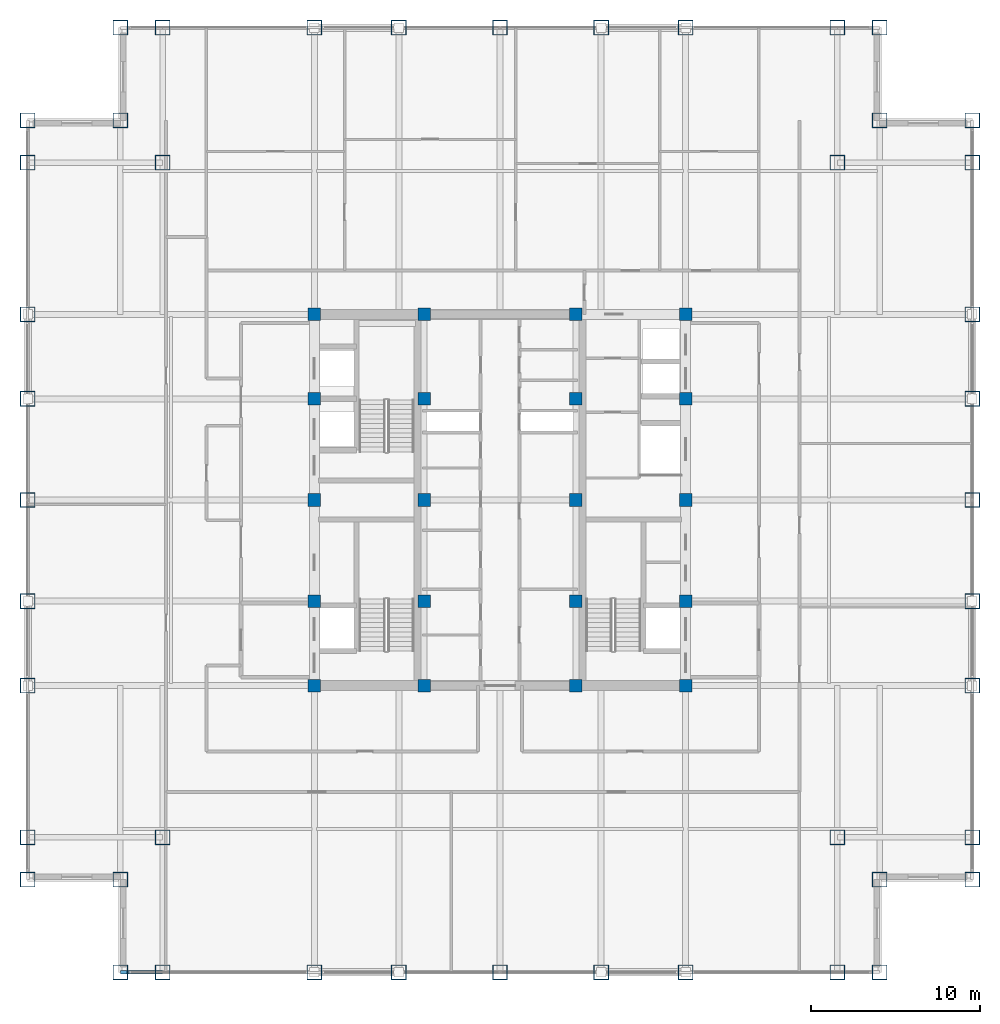
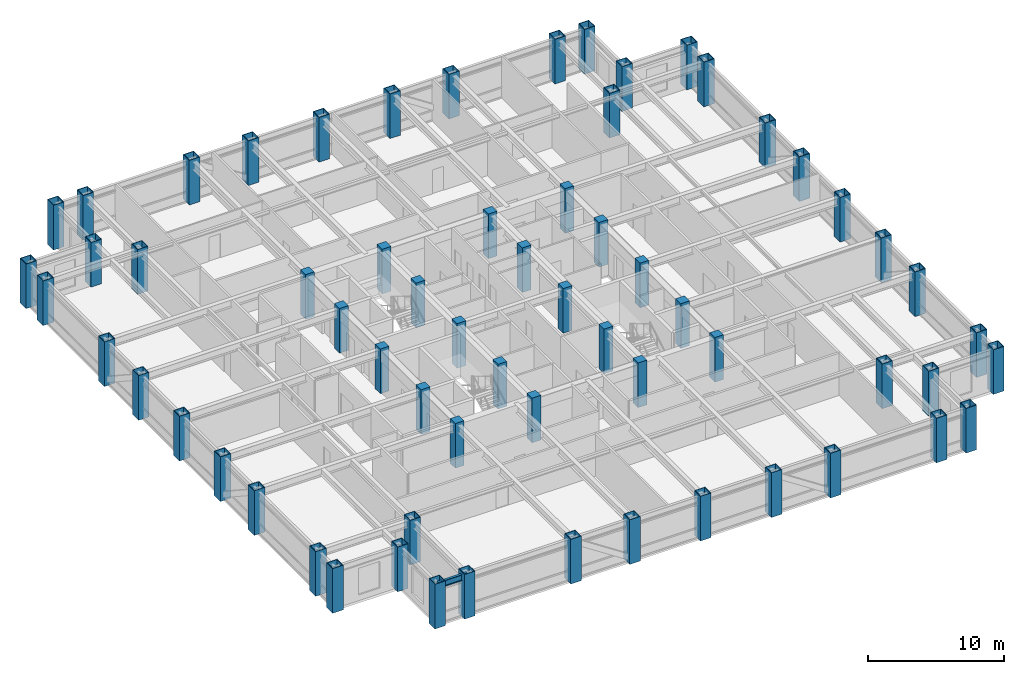
# One storey, part 1 of 22: 64 columns, 1 beam.
"""IFC4 building model written with IfcOpenShell, lengths in metres."""

from ifc_helpers import new_model, si_unit, direction, frame, origin, origin_2d, place, context, subcontext, project, spatial, rectangle, hollow_rectangle, i_section, extrude, source, transform, mapped, material, material_profile, profile_set, type_object, element, save


model = new_model("IFC4")

# Units and contexts
model_context = context("Model", 3, precision=1e-05, world=origin(), true_north=direction((0.0, 1.0)))
body_context = subcontext(model_context, "Body", "Model", "MODEL_VIEW")
ifc_project = project(units=[si_unit("LENGTHUNIT", "METRE"), si_unit("AREAUNIT", "SQUARE_METRE"), si_unit("VOLUMEUNIT", "CUBIC_METRE"), si_unit("PLANEANGLEUNIT", "RADIAN"), si_unit("MASSUNIT", "GRAM", prefix="KILO")], contexts=[model_context])

# Site, building, storey
site_placement = place(None, origin())
site = spatial("IfcSite", under=ifc_project, at=site_placement, CompositionType="ELEMENT")
building_placement = place(site_placement, origin())
building = spatial("IfcBuilding", under=site, at=building_placement, Name="Khorayat Bourse Tower", CompositionType="ELEMENT")
storey_placement = place(building_placement, frame((0.0, 0.0, 301.5)))
storey = spatial("IfcBuildingStorey", under=building, at=storey_placement, Name="L71", CompositionType="ELEMENT", Elevation=301.5)

# Columns
ifc_material_1 = material(Name="Steel EN 10025-4 S460M", Category="steel")
ifc_material_profile_1 = material_profile(ifc_material_1, hollow_rectangle(XDim=0.89990234375, YDim=0.89990234375, WallThickness=0.050048828125, at=origin_2d()), Name="BOX 900x900x50")
ifc_profile_set_1 = profile_set([ifc_material_profile_1], Name="Steel EN 10025-4 S460M")
column_type_1 = type_object("IfcColumnType", Name="COL-TUBE-900", PredefinedType="COLUMN", material=ifc_profile_set_1)
shared_shape_1 = source(origin(), body_context, "Body", "SweptSolid", [
    extrude(hollow_rectangle(XDim=0.89990234375, YDim=0.89990234375, WallThickness=0.050048828125, at=origin_2d()), origin(), (0.0, 0.0, 1.0), 4.0),
])
for number, where, z_axis, x_axis, name in (
    (1, (-28.0, -22.5, 0.0), (0.0, 0.0, 1.0), (1.0, 0.0, 0.0), "L71 Column 001"),
    (2, (-28.0, -20.0, 0.0), (0.0, 0.0, 1.0), (1.0, 0.0, 0.0), "L71 Column 002"),
    (3, (-28.0, -11.0, 0.0), (0.0, 0.0, 1.0), (1.0, 0.0, 0.0), "L71 Column 003"),
    (4, (-28.0, -6.0, 0.0), (0.0, 0.0, 1.0), (1.0, 0.0, 0.0), "L71 Column 004"),
    (5, (-28.0, 0.0, 0.0), (0.0, 0.0, 1.0), (1.0, 0.0, 0.0), "L71 Column 005"),
    (6, (-28.0, 6.0, 0.0), (0.0, 0.0, 1.0), (1.0, 0.0, 0.0), "L71 Column 006"),
    (7, (-28.0, 11.0, 0.0), (0.0, 0.0, 1.0), (1.0, 0.0, 0.0), "L71 Column 007"),
    (8, (-28.0, 20.0, 0.0), (0.0, 0.0, 1.0), (1.0, 0.0, 0.0), "L71 Column 008"),
    (9, (-28.0, 22.5, 0.0), (0.0, 0.0, 1.0), (1.0, 0.0, 0.0), "L71 Column 009"),
    (10, (-22.5, -28.0, 0.0), (0.0, 0.0, 1.0), (1.0, 0.0, 0.0), "L71 Column 010"),
    (11, (-22.5, -22.5, 0.0), (0.0, 0.0, 1.0), (1.0, 0.0, 0.0), "L71 Column 011"),
    (12, (-22.5, 22.5, 0.0), (0.0, 0.0, 1.0), (1.0, 0.0, 0.0), "L71 Column 012"),
    (13, (-22.5, 28.0, 0.0), (0.0, 0.0, 1.0), (1.0, 0.0, 0.0), "L71 Column 013"),
    (14, (-20.0, -28.0, 0.0), (0.0, 0.0, 1.0), (1.0, 0.0, 0.0), "L71 Column 014"),
    (15, (-20.0, -20.0, 0.0), (0.0, 0.0, 1.0), (1.0, 0.0, 0.0), "L71 Column 015"),
    (16, (-20.0, 20.0, 0.0), (0.0, 0.0, 1.0), (1.0, 0.0, 0.0), "L71 Column 016"),
    (17, (-20.0, 28.0, 0.0), (0.0, 0.0, 1.0), (1.0, 0.0, 0.0), "L71 Column 017"),
    (18, (-11.0, -28.0, 0.0), (0.0, 0.0, 1.0), (1.0, 0.0, 0.0), "L71 Column 018"),
    (19, (-11.0, 28.0, 0.0), (0.0, 0.0, 1.0), (1.0, 0.0, 0.0), "L71 Column 024"),
    (20, (-6.0, -28.0, 0.0), (0.0, 0.0, 1.0), (1.0, 0.0, 0.0), "L71 Column 025"),
    (21, (-6.0, 28.0, 0.0), (0.0, 0.0, 1.0), (1.0, 0.0, 0.0), "L71 Column 026"),
    (22, (0.0, -28.0, 0.0), (0.0, 0.0, 1.0), (1.0, 0.0, 0.0), "L71 Column 032"),
    (23, (0.0, 28.0, 0.0), (0.0, 0.0, 1.0), (1.0, 0.0, 0.0), "L71 Column 033"),
    (24, (6.0, -28.0, 0.0), (0.0, 0.0, 1.0), (1.0, 0.0, 0.0), "L71 Column 039"),
    (25, (6.0, 28.0, 0.0), (0.0, 0.0, 1.0), (1.0, 0.0, 0.0), "L71 Column 040"),
    (26, (11.0, -28.0, 0.0), (0.0, 0.0, 1.0), (1.0, 0.0, 0.0), "L71 Column 041"),
    (27, (11.0, 28.0, 0.0), (0.0, 0.0, 1.0), (1.0, 0.0, 0.0), "L71 Column 047"),
    (28, (20.0, -28.0, 0.0), (0.0, 0.0, 1.0), (1.0, 0.0, 0.0), "L71 Column 048"),
    (29, (20.0, -20.0, 0.0), (0.0, 0.0, 1.0), (1.0, 0.0, 0.0), "L71 Column 049"),
    (30, (20.0, 20.0, 0.0), (0.0, 0.0, 1.0), (1.0, 0.0, 0.0), "L71 Column 050"),
    (31, (20.0, 28.0, 0.0), (0.0, 0.0, 1.0), (1.0, 0.0, 0.0), "L71 Column 051"),
    (32, (22.5, -28.0, 0.0), (0.0, 0.0, 1.0), (1.0, 0.0, 0.0), "L71 Column 052"),
    (33, (22.5, -22.5, 0.0), (0.0, 0.0, 1.0), (1.0, 0.0, 0.0), "L71 Column 053"),
    (34, (22.5, 22.5, 0.0), (0.0, 0.0, 1.0), (1.0, 0.0, 0.0), "L71 Column 054"),
    (35, (22.5, 28.0, 0.0), (0.0, 0.0, 1.0), (1.0, 0.0, 0.0), "L71 Column 055"),
    (36, (28.0, -22.5, 0.0), (0.0, 0.0, 1.0), (1.0, 0.0, 0.0), "L71 Column 056"),
    (37, (28.0, -20.0, 0.0), (0.0, 0.0, 1.0), (1.0, 0.0, 0.0), "L71 Column 057"),
    (38, (28.0, -11.0, 0.0), (0.0, 0.0, 1.0), (1.0, 0.0, 0.0), "L71 Column 058"),
    (39, (28.0, -6.0, 0.0), (0.0, 0.0, 1.0), (1.0, 0.0, 0.0), "L71 Column 059"),
    (40, (28.0, 0.0, 0.0), (0.0, 0.0, 1.0), (1.0, 0.0, 0.0), "L71 Column 060"),
    (41, (28.0, 6.0, 0.0), (0.0, 0.0, 1.0), (1.0, 0.0, 0.0), "L71 Column 061"),
    (42, (28.0, 11.0, 0.0), (0.0, 0.0, 1.0), (1.0, 0.0, 0.0), "L71 Column 062"),
    (43, (28.0, 20.0, 0.0), (0.0, 0.0, 1.0), (1.0, 0.0, 0.0), "L71 Column 063"),
    (44, (28.0, 22.5, 0.0), (0.0, 0.0, 1.0), (1.0, 0.0, 0.0), "L71 Column 064"),
):
    element("IfcColumn", number, at=place(storey_placement, frame(where, z_axis=z_axis, x_axis=x_axis)), inside=storey, type_object=column_type_1, Name=name, PredefinedType="COLUMN", context=body_context, shape_type="MappedRepresentation", body=[
        mapped(shared_shape_1, transform((0.0, 0.0, 0.0), scale=1.0)),
    ])
ifc_material_2 = material(Name="Concrete C52/65", Category="concrete")
ifc_material_profile_2 = material_profile(ifc_material_2, rectangle(XDim=0.75, YDim=0.75, at=origin_2d()), Name="RC 750x750")
ifc_profile_set_2 = profile_set([ifc_material_profile_2], Name="Concrete C52/65")
column_type_2 = type_object("IfcColumnType", Name="COL-CORE-750", PredefinedType="COLUMN", material=ifc_profile_set_2)
shared_shape_2 = source(origin(), body_context, "Body", "SweptSolid", [
    extrude(rectangle(XDim=0.75, YDim=0.75, at=origin_2d()), origin(), (0.0, 0.0, 1.0), 4.0),
])
for number, where, z_axis, x_axis, name in (
    (45, (-11.0, -11.0, 0.0), (0.0, 0.0, 1.0), (1.0, 0.0, 0.0), "L71 Column 019"),
    (46, (-11.0, -6.0, 0.0), (0.0, 0.0, 1.0), (1.0, 0.0, 0.0), "L71 Column 020"),
    (47, (-11.0, 0.0, 0.0), (0.0, 0.0, 1.0), (1.0, 0.0, 0.0), "L71 Column 021"),
    (48, (-11.0, 6.0, 0.0), (0.0, 0.0, 1.0), (1.0, 0.0, 0.0), "L71 Column 022"),
    (49, (-11.0, 11.0, 0.0), (0.0, 0.0, 1.0), (1.0, 0.0, 0.0), "L71 Column 023"),
    (50, (-4.5, -11.0, 0.0), (0.0, 0.0, 1.0), (1.0, 0.0, 0.0), "L71 Column 027"),
    (51, (-4.5, -6.0, 0.0), (0.0, 0.0, 1.0), (1.0, 0.0, 0.0), "L71 Column 028"),
    (52, (-4.5, 0.0, 0.0), (0.0, 0.0, 1.0), (1.0, 0.0, 0.0), "L71 Column 029"),
    (53, (-4.5, 6.0, 0.0), (0.0, 0.0, 1.0), (1.0, 0.0, 0.0), "L71 Column 030"),
    (54, (-4.5, 11.0, 0.0), (0.0, 0.0, 1.0), (1.0, 0.0, 0.0), "L71 Column 031"),
    (55, (4.5, -11.0, 0.0), (0.0, 0.0, 1.0), (1.0, 0.0, 0.0), "L71 Column 034"),
    (56, (4.5, -6.0, 0.0), (0.0, 0.0, 1.0), (1.0, 0.0, 0.0), "L71 Column 035"),
    (57, (4.5, 0.0, 0.0), (0.0, 0.0, 1.0), (1.0, 0.0, 0.0), "L71 Column 036"),
    (58, (4.5, 6.0, 0.0), (0.0, 0.0, 1.0), (1.0, 0.0, 0.0), "L71 Column 037"),
    (59, (4.5, 11.0, 0.0), (0.0, 0.0, 1.0), (1.0, 0.0, 0.0), "L71 Column 038"),
    (60, (11.0, -11.0, 0.0), (0.0, 0.0, 1.0), (1.0, 0.0, 0.0), "L71 Column 042"),
    (61, (11.0, -6.0, 0.0), (0.0, 0.0, 1.0), (1.0, 0.0, 0.0), "L71 Column 043"),
    (62, (11.0, 0.0, 0.0), (0.0, 0.0, 1.0), (1.0, 0.0, 0.0), "L71 Column 044"),
    (63, (11.0, 6.0, 0.0), (0.0, 0.0, 1.0), (1.0, 0.0, 0.0), "L71 Column 045"),
    (64, (11.0, 11.0, 0.0), (0.0, 0.0, 1.0), (1.0, 0.0, 0.0), "L71 Column 046"),
):
    element("IfcColumn", number, at=place(storey_placement, frame(where, z_axis=z_axis, x_axis=x_axis)), inside=storey, type_object=column_type_2, Name=name, PredefinedType="COLUMN", context=body_context, shape_type="MappedRepresentation", body=[
        mapped(shared_shape_2, transform((0.0, 0.0, 0.0), scale=1.0)),
    ])

# Beam
ifc_material_3 = material(Name="Steel ASTM A992 Grade 50", Category="steel")
ifc_material_profile_3 = material_profile(ifc_material_3, i_section(OverallWidth=0.214111328125, OverallDepth=0.549072265625, WebThickness=0.0146484375, FlangeThickness=0.023681640625, FilletRadius=0.013916015625, at=origin_2d()), Name="W530X138")
ifc_profile_set_3 = profile_set([ifc_material_profile_3], Name="Steel ASTM A992 Grade 50")
beam_type = type_object("IfcBeamType", Name="BM-SPAN-530", PredefinedType="SPANDREL", material=ifc_profile_set_3)
shared_shape_3 = source(origin(), body_context, "Body", "SweptSolid", [
    extrude(i_section(OverallWidth=0.214111328125, OverallDepth=0.549072265625, WebThickness=0.0146484375, FlangeThickness=0.023681640625, FilletRadius=0.013916015625, at=origin_2d()), origin(), (0.0, 0.0, 1.0), 2.5),
])
beam_placement = place(storey_placement, frame((-22.5, -28.0, 3.505615234375), z_axis=(1.0, 0.0, 0.0), x_axis=(0.0, 1.0, 0.0)))
element("IfcBeam", 65, at=beam_placement, inside=storey, type_object=beam_type, Name="L71 BM-SPAN-530 BM-L71-SPN-024", PredefinedType="SPANDREL", context=body_context, shape_type="MappedRepresentation", body=[
    mapped(shared_shape_3, transform((0.0, 0.0, 0.0), scale=1.0)),
])

save(model, "model.ifc")
